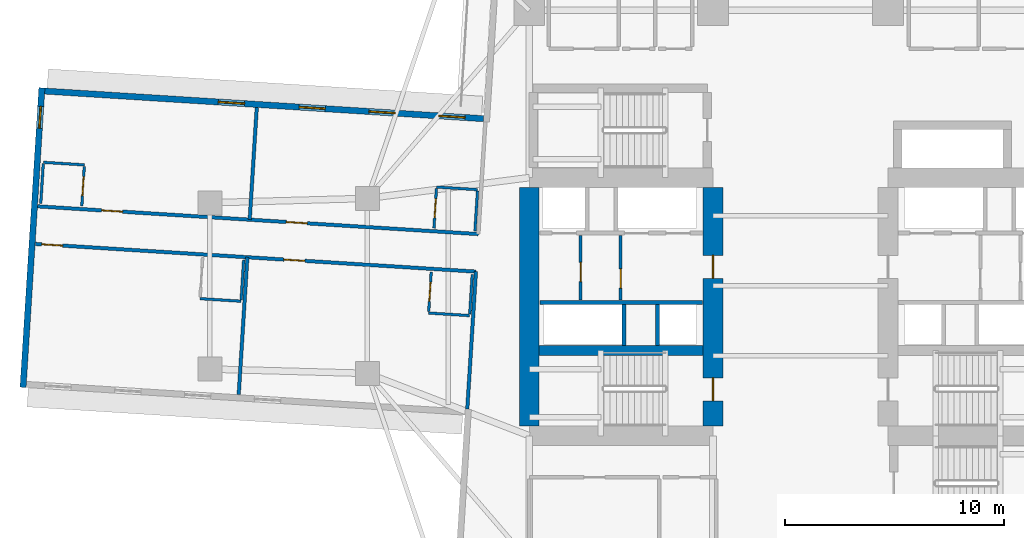
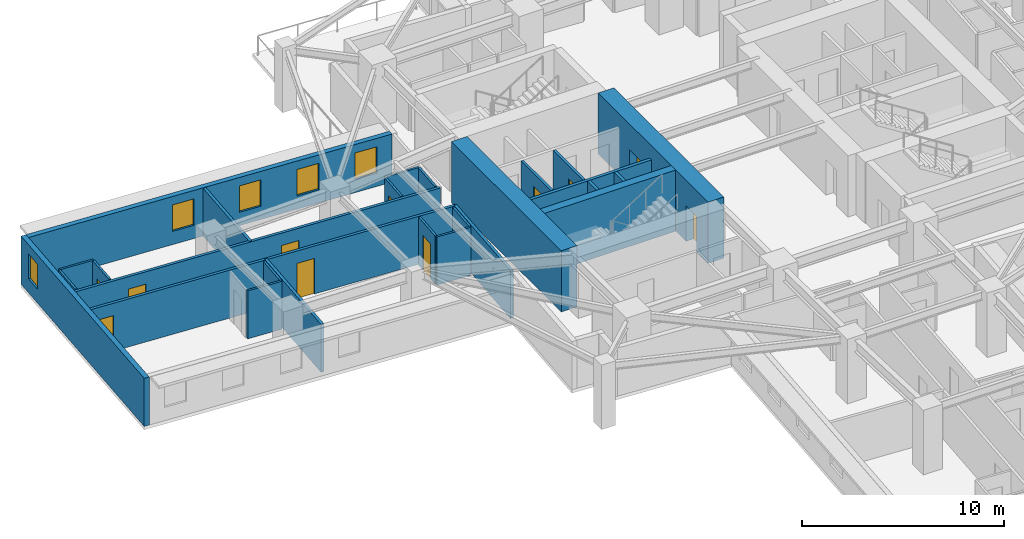
# One storey, part 5 of 14: 26 walls, 11 doors, 5 windows, 16 openings.
"""IFC4 building model written with IfcOpenShell, lengths in metres."""

from ifc_helpers import new_model, si_unit, direction, frame, frame_2d, origin, place, context, subcontext, project, spatial, rectangle, extrude, material, layer, layer_set, type_object, element, fill, save


model = new_model("IFC4")

# Units and contexts
model_context = context("Model", 3, precision=1e-05, world=origin(), true_north=direction((0.0, 1.0)))
body_context = subcontext(model_context, "Body", "Model", "MODEL_VIEW")
ifc_project = project(units=[si_unit("LENGTHUNIT", "METRE"), si_unit("AREAUNIT", "SQUARE_METRE"), si_unit("VOLUMEUNIT", "CUBIC_METRE"), si_unit("PLANEANGLEUNIT", "RADIAN"), si_unit("MASSUNIT", "GRAM", prefix="KILO")], contexts=[model_context])

# Site, building, storey
site_placement = place(None, origin())
site = spatial("IfcSite", under=ifc_project, at=site_placement, CompositionType="ELEMENT")
building_placement = place(site_placement, origin())
building = spatial("IfcBuilding", under=site, at=building_placement, Name="Qingluan Cross Belvedere", CompositionType="ELEMENT")
storey_placement = place(building_placement, frame((0.0, 0.0, 87.300048828125)))
storey = spatial("IfcBuildingStorey", under=building, at=storey_placement, Name="L22", CompositionType="ELEMENT", Elevation=87.300048828125)

# Walls
ifc_material_1 = material(Name="Concrete C50", Category="concrete")
ifc_layer_1 = layer(ifc_material_1, 0.449951171875, Name="CoreShearWall_450")
ifc_layer_set_1 = layer_set([ifc_layer_1], Name="Concrete C50")
wall_type_1 = type_object("IfcWallType", Name="CoreShearWall_450", PredefinedType="SHEAR", material=ifc_layer_set_1)
wall_1_placement = place(storey_placement, frame((-11.945068359375, -2.9599609375, 0.0), z_axis=(0.0, 0.0, 1.0), x_axis=(1.0, 0.0, 0.0)))
element("IfcWall", 1, at=wall_1_placement, inside=storey, type_object=wall_type_1, Name="Split core W shear wall L22-M", PredefinedType="SHEAR", context=body_context, shape_type="SweptSolid", body=[
    extrude(rectangle(XDim=7.489990234375, YDim=0.449951171875, at=frame_2d((3.7451171875, 0.0))), origin(), (0.0, 0.0, 1.0), 3.699951171875),
])
ifc_material_2 = material(Name="Concrete C70", Category="concrete")
ifc_layer_2 = layer(ifc_material_2, 0.89990234375, Name="CoreShearWall_900")
ifc_layer_set_2 = layer_set([ifc_layer_2], Name="Concrete C70")
wall_type_2 = type_object("IfcWallType", Name="CoreShearWall_900", PredefinedType="SHEAR", material=ifc_layer_set_2)
wall_2_placement = place(storey_placement, frame((-12.39990234375, -6.39501953125, 0.0), z_axis=(0.0, 0.0, 1.0), x_axis=(0.0, 1.0, 0.0)))
element("IfcWall", 2, at=wall_2_placement, inside=storey, type_object=wall_type_2, Name="Split core W shear wall L22-W", PredefinedType="SHEAR", context=body_context, shape_type="SweptSolid", body=[
    extrude(rectangle(XDim=10.89013671875, YDim=0.89990234375, at=frame_2d((5.445068359375, 0.0))), origin(), (0.0, 0.0, 1.0), 3.699951171875),
])

# Wall, openings, doors
wall_3_placement = place(storey_placement, frame((-4.0, -6.39501953125, 0.0), z_axis=(0.0, 0.0, 1.0), x_axis=(0.0, 1.0, 0.0)))
wall_3 = element("IfcWall", 3, at=wall_3_placement, inside=storey, type_object=wall_type_2, Name="Split core W shear wall L22-E", PredefinedType="SHEAR", context=body_context, shape_type="SweptSolid", body=[
    extrude(rectangle(XDim=10.89013671875, YDim=0.89990234375, at=frame_2d((5.445068359375, 0.0))), origin(), (0.0, 0.0, 1.0), 3.699951171875),
])
opening_1_placement = place(wall_3_placement, frame((1.14501953125, 0.0, 0.0)))
opening_1 = element("IfcOpeningElement", 4, at=opening_1_placement, cuts=wall_3, Name="Opening FD-B11", PredefinedType="OPENING", context=body_context, shape_type="SweptSolid", body=[
    extrude(rectangle(XDim=1.050048828125, YDim=2.14990234375, at=frame_2d((0.52490234375, 1.074951171875))), frame((0.0, 0.4599609375, 0.0), z_axis=(0.0, -1.0, 0.0), x_axis=(1.0, 0.0, 0.0)), (0.0, 0.0, 1.0), 0.919921875),
])
opening_2_placement = place(wall_3_placement, frame((6.7451171875, 0.0, 0.0)))
opening_2 = element("IfcOpeningElement", 5, at=opening_2_placement, cuts=wall_3, Name="Opening FD-B11", PredefinedType="OPENING", context=body_context, shape_type="SweptSolid", body=[
    extrude(rectangle(XDim=1.050048828125, YDim=2.14990234375, at=frame_2d((0.52490234375, 1.074951171875))), frame((0.0, 0.4599609375, 0.0), z_axis=(0.0, -1.0, 0.0), x_axis=(1.0, 0.0, 0.0)), (0.0, 0.0, 1.0), 0.919921875),
])
ifc_material_3 = material(Name="Steel Class B smoke-seal fire door", Category="steel")
door_type_1 = type_object("IfcDoorType", Name="StairLobbyFireDoor_FDB", OperationType="NOTDEFINED", PredefinedType="DOOR", material=ifc_material_3)
door_1_placement = place(opening_1_placement, origin())
door_1 = element("IfcDoor", 6, at=door_1_placement, inside=storey, type_object=door_type_1, Name="Smoke-proof stair ST1 fire door L22", OperationType="SINGLE_SWING_RIGHT", OverallHeight=2.14990234375, OverallWidth=1.050048828125, PredefinedType="DOOR", context=body_context, shape_type="SweptSolid", body=[
    extrude(rectangle(XDim=1.050048828125, YDim=2.14990234375, at=frame_2d((0.52490234375, 1.074951171875))), frame((0.0, 0.02490234375, 0.0), z_axis=(0.0, -1.0, 0.0), x_axis=(1.0, 0.0, 0.0)), (0.0, 0.0, 1.0), 0.050048828125),
])
fill(opening_1, door_1)
door_2_placement = place(opening_2_placement, origin())
door_2 = element("IfcDoor", 7, at=door_2_placement, inside=storey, type_object=door_type_1, Name="Firefighting lobby West fire door L22", OperationType="SINGLE_SWING_RIGHT", OverallHeight=2.14990234375, OverallWidth=1.050048828125, PredefinedType="DOOR", context=body_context, shape_type="SweptSolid", body=[
    extrude(rectangle(XDim=1.050048828125, YDim=2.14990234375, at=frame_2d((0.52490234375, 1.074951171875))), frame((0.0, 0.02490234375, 0.0), z_axis=(0.0, -1.0, 0.0), x_axis=(1.0, 0.0, 0.0)), (0.0, 0.0, 1.0), 0.050048828125),
])
fill(opening_2, door_2)

# Wall, opening, door
ifc_material_4 = material(Name="Gypsum plasterboard on steel stud acoustic partition", Category="steel")
ifc_layer_3 = layer(ifc_material_4, 0.159912109375, Name="CorridorPartition_160")
ifc_layer_set_3 = layer_set([ifc_layer_3], Name="Gypsum plasterboard on steel stud acoustic partition")
wall_type_3 = type_object("IfcWallType", Name="CorridorPartition_160", PredefinedType="PARTITIONING", material=ifc_layer_set_3)
wall_4_placement = place(storey_placement, frame((-10.050048828125, -0.652099609375, 0.0), z_axis=(0.0, 0.0, 1.0), x_axis=(0.0, 1.0, 0.0)))
wall_4 = element("IfcWall", 8, at=wall_4_placement, inside=storey, type_object=wall_type_3, Name="Partition L22:wv", PredefinedType="PARTITIONING", context=body_context, shape_type="SweptSolid", body=[
    extrude(rectangle(XDim=2.962158203125, YDim=0.139892578125, at=frame_2d((1.48095703125, 0.0))), origin(), (0.0, 0.0, 1.0), 2.89990234375),
])
opening_3_placement = place(wall_4_placement, frame((0.85009765625, 0.0, 0.0)))
opening_3 = element("IfcOpeningElement", 9, at=opening_3_placement, cuts=wall_4, Name="Opening FD-B10", PredefinedType="OPENING", context=body_context, shape_type="SweptSolid", body=[
    extrude(rectangle(XDim=0.8798828125, YDim=2.10009765625, at=frame_2d((0.43994140625, 1.050048828125))), frame((0.0, 0.079833984375, 0.0), z_axis=(0.0, -1.0, 0.0), x_axis=(1.0, 0.0, 0.0)), (0.0, 0.0, 1.0), 0.159912109375),
])
ifc_material_5 = material(Name="Steel Class B service fire door", Category="steel")
door_type_2 = type_object("IfcDoorType", Name="RiserServiceFireDoor_FDB", OperationType="NOTDEFINED", PredefinedType="DOOR", material=ifc_material_5)
door_3_placement = place(opening_3_placement, origin())
door_3 = element("IfcDoor", 10, at=door_3_placement, inside=storey, type_object=door_type_2, Name="Service closet inner door L22", OperationType="SINGLE_SWING_RIGHT", OverallHeight=2.10009765625, OverallWidth=0.8798828125, PredefinedType="DOOR", context=body_context, shape_type="SweptSolid", body=[
    extrude(rectangle(XDim=0.8798828125, YDim=2.10009765625, at=frame_2d((0.43994140625, 1.050048828125))), frame((0.0, 0.02490234375, 0.0), z_axis=(0.0, -1.0, 0.0), x_axis=(1.0, 0.0, 0.0)), (0.0, 0.0, 1.0), 0.050048828125),
])
fill(opening_3, door_3)

# Wall, openings, doors
wall_5_placement = place(storey_placement, frame((-14.730224609375, 2.36962890625, 0.0), z_axis=(0.0, 0.0, 1.0), x_axis=(-0.998027172545, 0.062783460104, 0.0)))
wall_5 = element("IfcWall", 11, at=wall_5_placement, inside=storey, type_object=wall_type_3, Name="Partition L22:W:c0", PredefinedType="PARTITIONING", context=body_context, shape_type="SweptSolid", body=[
    extrude(rectangle(XDim=20.181884765625, YDim=0.159912109375, at=frame_2d((10.0908203125, 0.0))), origin(), (0.0, 0.0, 1.0), 2.89990234375),
])
opening_4_placement = place(wall_5_placement, frame((7.8359375, 0.0, 0.0)))
opening_4 = element("IfcOpeningElement", 12, at=opening_4_placement, cuts=wall_5, Name="Opening GD-10", PredefinedType="OPENING", context=body_context, shape_type="SweptSolid", body=[
    extrude(rectangle(XDim=0.9599609375, YDim=2.14990234375, at=frame_2d((0.47998046875, 1.074951171875))), frame((0.0, 0.08984375, 0.0), z_axis=(0.0, -1.0, 0.0), x_axis=(1.0, 0.0, 0.0)), (0.0, 0.0, 1.0), 0.179931640625),
])
opening_5_placement = place(wall_5_placement, frame((16.2958984375, 0.0, 0.0)))
opening_5 = element("IfcOpeningElement", 13, at=opening_5_placement, cuts=wall_5, Name="Opening GD-10", PredefinedType="OPENING", context=body_context, shape_type="SweptSolid", body=[
    extrude(rectangle(XDim=0.9599609375, YDim=2.14990234375, at=frame_2d((0.47998046875, 1.074951171875))), frame((0.0, 0.08984375, 0.0), z_axis=(0.0, -1.0, 0.0), x_axis=(1.0, 0.0, 0.0)), (0.0, 0.0, 1.0), 0.179931640625),
])
ifc_material_6 = material(Name="Timber oak fire-rated acoustic guestroom door", Category="wood")
door_type_3 = type_object("IfcDoorType", Name="GuestEntryDoor_FD60", OperationType="NOTDEFINED", PredefinedType="DOOR", material=ifc_material_6)
door_4_placement = place(opening_4_placement, origin())
door_4 = element("IfcDoor", 14, at=door_4_placement, inside=storey, type_object=door_type_3, Name="Guest entry fire door 2205", OperationType="SINGLE_SWING_LEFT", OverallHeight=2.14990234375, OverallWidth=0.9599609375, PredefinedType="DOOR", context=body_context, shape_type="SweptSolid", body=[
    extrude(rectangle(XDim=0.9599609375, YDim=2.14990234375, at=frame_2d((0.47998046875, 1.074951171875))), frame((0.0, 0.02490234375, 0.0), z_axis=(0.0, -1.0, 0.0), x_axis=(1.0, 0.0, 0.0)), (0.0, 0.0, 1.0), 0.050048828125),
])
fill(opening_4, door_4)
door_5_placement = place(opening_5_placement, origin())
door_5 = element("IfcDoor", 15, at=door_5_placement, inside=storey, type_object=door_type_3, Name="Guest entry fire door 2206", OperationType="SINGLE_SWING_LEFT", OverallHeight=2.14990234375, OverallWidth=0.9599609375, PredefinedType="DOOR", context=body_context, shape_type="SweptSolid", body=[
    extrude(rectangle(XDim=0.9599609375, YDim=2.14990234375, at=frame_2d((0.47998046875, 1.074951171875))), frame((0.0, 0.02490234375, 0.0), z_axis=(0.0, -1.0, 0.0), x_axis=(1.0, 0.0, 0.0)), (0.0, 0.0, 1.0), 0.050048828125),
])
fill(opening_5, door_5)

# Wall
wall_6_placement = place(storey_placement, frame((-25.1796875, 3.027099609375, 0.0), z_axis=(0.0, 0.0, 1.0), x_axis=(0.062795883315, 0.998026390953, 0.0)))
element("IfcWall", 16, at=wall_6_placement, inside=storey, type_object=wall_type_3, Name="Partition L22:W:d0_0", PredefinedType="PARTITIONING", context=body_context, shape_type="SweptSolid", body=[
    extrude(rectangle(XDim=5.1318359375, YDim=0.159912109375, at=frame_2d((2.56591796875, 0.0))), origin(), (0.0, 0.0, 1.0), 2.89990234375),
])

# Wall, openings, doors
wall_7_placement = place(storey_placement, frame((-14.83837890625, 0.653076171875, 0.0), z_axis=(0.0, 0.0, 1.0), x_axis=(-0.998027172545, 0.062783460104, 0.0)))
wall_7 = element("IfcWall", 17, at=wall_7_placement, inside=storey, type_object=wall_type_3, Name="Partition L22:W:c1", PredefinedType="PARTITIONING", context=body_context, shape_type="SweptSolid", body=[
    extrude(rectangle(XDim=20.181884765625, YDim=0.159912109375, at=frame_2d((10.0908203125, 0.0))), origin(), (0.0, 0.0, 1.0), 2.89990234375),
])
opening_6_placement = place(wall_7_placement, frame((7.8359375, 0.0, 0.0)))
opening_6 = element("IfcOpeningElement", 18, at=opening_6_placement, cuts=wall_7, Name="Opening GD-10", PredefinedType="OPENING", context=body_context, shape_type="SweptSolid", body=[
    extrude(rectangle(XDim=0.9599609375, YDim=2.14990234375, at=frame_2d((0.47998046875, 1.074951171875))), frame((0.0, 0.08984375, 0.0), z_axis=(0.0, -1.0, 0.0), x_axis=(1.0, 0.0, 0.0)), (0.0, 0.0, 1.0), 0.179931640625),
])
opening_7_placement = place(wall_7_placement, frame((18.929931640625, 0.0, 0.0)))
opening_7 = element("IfcOpeningElement", 19, at=opening_7_placement, cuts=wall_7, Name="Opening GD-10", PredefinedType="OPENING", context=body_context, shape_type="SweptSolid", body=[
    extrude(rectangle(XDim=0.9599609375, YDim=2.14990234375, at=frame_2d((0.47998046875, 1.074951171875))), frame((0.0, 0.08984375, 0.0), z_axis=(0.0, -1.0, 0.0), x_axis=(1.0, 0.0, 0.0)), (0.0, 0.0, 1.0), 0.179931640625),
])
door_6_placement = place(opening_6_placement, origin())
door_6 = element("IfcDoor", 20, at=door_6_placement, inside=storey, type_object=door_type_3, Name="Guest entry fire door 2207", OperationType="SINGLE_SWING_LEFT", OverallHeight=2.14990234375, OverallWidth=0.9599609375, PredefinedType="DOOR", context=body_context, shape_type="SweptSolid", body=[
    extrude(rectangle(XDim=0.9599609375, YDim=2.14990234375, at=frame_2d((0.47998046875, 1.074951171875))), frame((0.0, 0.02490234375, 0.0), z_axis=(0.0, -1.0, 0.0), x_axis=(1.0, 0.0, 0.0)), (0.0, 0.0, 1.0), 0.050048828125),
])
fill(opening_6, door_6)
door_7_placement = place(opening_7_placement, origin())
door_7 = element("IfcDoor", 21, at=door_7_placement, inside=storey, type_object=door_type_3, Name="Guest entry fire door 2208", OperationType="SINGLE_SWING_LEFT", OverallHeight=2.14990234375, OverallWidth=0.9599609375, PredefinedType="DOOR", context=body_context, shape_type="SweptSolid", body=[
    extrude(rectangle(XDim=0.9599609375, YDim=2.14990234375, at=frame_2d((0.47998046875, 1.074951171875))), frame((0.0, 0.02490234375, 0.0), z_axis=(0.0, -1.0, 0.0), x_axis=(1.0, 0.0, 0.0)), (0.0, 0.0, 1.0), 0.050048828125),
])
fill(opening_7, door_7)

# Walls
wall_8_placement = place(storey_placement, frame((-14.83837890625, 0.653076171875, 0.0), z_axis=(0.0, 0.0, 1.0), x_axis=(-0.062779270337, -0.998027436104, 0.0)))
element("IfcWall", 22, at=wall_8_placement, inside=storey, type_object=wall_type_3, Name="Partition L22:W:s1", PredefinedType="PARTITIONING", context=body_context, shape_type="SweptSolid", body=[
    extrude(rectangle(XDim=6.292236328125, YDim=0.159912109375, at=frame_2d((3.14599609375, 0.0))), origin(), (0.0, 0.0, 1.0), 2.89990234375),
])
wall_9_placement = place(storey_placement, frame((-25.28759765625, 1.310302734375, 0.0), z_axis=(0.0, 0.0, 1.0), x_axis=(-0.062781701496, -0.998027283173, 0.0)))
element("IfcWall", 23, at=wall_9_placement, inside=storey, type_object=wall_type_3, Name="Partition L22:W:d1_0", PredefinedType="PARTITIONING", context=body_context, shape_type="SweptSolid", body=[
    extrude(rectangle(XDim=6.2919921875, YDim=0.159912109375, at=frame_2d((3.14599609375, 0.0))), origin(), (0.0, 0.0, 1.0), 2.89990234375),
])

# Wall, opening, door
ifc_material_7 = material(Name="Moisture-resistant gypsum board lining")
ifc_layer_4 = layer(ifc_material_7, 0.1201171875, Name="EnsuiteWetPartition_120")
ifc_layer_set_4 = layer_set([ifc_layer_4], Name="Moisture-resistant gypsum board lining")
wall_type_4 = type_object("IfcWallType", Name="EnsuiteWetPartition_120", PredefinedType="PARTITIONING", material=ifc_layer_set_4)
wall_10_placement = place(storey_placement, frame((-16.757568359375, 2.637451171875, 0.0), z_axis=(0.0, 0.0, 1.0), x_axis=(0.062779145668, 0.998027443946, 0.0)))
wall_10 = element("IfcWall", 24, at=wall_10_placement, inside=storey, type_object=wall_type_4, Name="Partition L22:W:bs0_0", PredefinedType="PARTITIONING", context=body_context, shape_type="SweptSolid", body=[
    extrude(rectangle(XDim=1.820068359375, YDim=0.1201171875, at=frame_2d((0.91015625, 0.0))), origin(), (0.0, 0.0, 1.0), 2.89990234375),
])
opening_8_placement = place(wall_10_placement, frame((0.469970703125, 0.0, 0.0)))
opening_8 = element("IfcOpeningElement", 25, at=opening_8_placement, cuts=wall_10, Name="Opening BD-09", PredefinedType="OPENING", context=body_context, shape_type="SweptSolid", body=[
    extrude(rectangle(XDim=0.8798828125, YDim=2.10009765625, at=frame_2d((0.43994140625, 1.050048828125))), frame((0.0, 0.070068359375, 0.0), z_axis=(0.0, -1.0, 0.0), x_axis=(1.0, 0.0, 0.0)), (0.0, 0.0, 1.0), 0.14013671875),
])
ifc_material_8 = material(Name="Moisture-sealed timber en-suite door", Category="wood")
door_type_4 = type_object("IfcDoorType", Name="BathroomDoor_880", OperationType="NOTDEFINED", PredefinedType="DOOR", material=ifc_material_8)
door_8_placement = place(opening_8_placement, origin())
door_8 = element("IfcDoor", 26, at=door_8_placement, inside=storey, type_object=door_type_4, Name="Bathroom door 2205", OperationType="SINGLE_SWING_RIGHT", OverallHeight=2.10009765625, OverallWidth=0.8798828125, PredefinedType="DOOR", context=body_context, shape_type="SweptSolid", body=[
    extrude(rectangle(XDim=0.8798828125, YDim=2.10009765625, at=frame_2d((0.43994140625, 1.050048828125))), frame((0.0, 0.02490234375, 0.0), z_axis=(0.0, -1.0, 0.0), x_axis=(1.0, 0.0, 0.0)), (0.0, 0.0, 1.0), 0.050048828125),
])
fill(opening_8, door_8)

# Walls
wall_11_placement = place(storey_placement, frame((-14.881103515625, 2.519287109375, 0.0), z_axis=(0.0, 0.0, 1.0), x_axis=(0.062779145668, 0.998027443946, 0.0)))
element("IfcWall", 27, at=wall_11_placement, inside=storey, type_object=wall_type_4, Name="Partition L22:W:bw0_0", PredefinedType="PARTITIONING", context=body_context, shape_type="SweptSolid", body=[
    extrude(rectangle(XDim=1.820068359375, YDim=0.1201171875, at=frame_2d((0.91015625, 0.0))), origin(), (0.0, 0.0, 1.0), 2.89990234375),
])
wall_12_placement = place(storey_placement, frame((-14.7626953125, 4.400634765625, 0.0), z_axis=(0.0, 0.0, 1.0), x_axis=(-0.998023163794, 0.062847152131, 0.0)))
element("IfcWall", 28, at=wall_12_placement, inside=storey, type_object=wall_type_4, Name="Partition L22:W:bn0_0", PredefinedType="PARTITIONING", context=body_context, shape_type="SweptSolid", body=[
    extrude(rectangle(XDim=1.880126953125, YDim=0.1201171875, at=frame_2d((0.93994140625, 0.0))), origin(), (0.0, 0.0, 1.0), 2.89990234375),
])

# Wall, opening, door
wall_13_placement = place(storey_placement, frame((-32.855712890625, 3.650146484375, 0.0), z_axis=(0.0, 0.0, 1.0), x_axis=(0.062779145668, 0.998027443946, 0.0)))
wall_13 = element("IfcWall", 29, at=wall_13_placement, inside=storey, type_object=wall_type_4, Name="Partition L22:W:bs0_1", PredefinedType="PARTITIONING", context=body_context, shape_type="SweptSolid", body=[
    extrude(rectangle(XDim=1.820068359375, YDim=0.1201171875, at=frame_2d((0.91015625, 0.0))), origin(), (0.0, 0.0, 1.0), 2.89990234375),
])
opening_9_placement = place(wall_13_placement, frame((0.469970703125, 0.0, 0.0)))
opening_9 = element("IfcOpeningElement", 30, at=opening_9_placement, cuts=wall_13, Name="Opening BD-09", PredefinedType="OPENING", context=body_context, shape_type="SweptSolid", body=[
    extrude(rectangle(XDim=0.8798828125, YDim=2.10009765625, at=frame_2d((0.43994140625, 1.050048828125))), frame((0.0, 0.070068359375, 0.0), z_axis=(0.0, -1.0, 0.0), x_axis=(1.0, 0.0, 0.0)), (0.0, 0.0, 1.0), 0.14013671875),
])
door_9_placement = place(opening_9_placement, origin())
door_9 = element("IfcDoor", 31, at=door_9_placement, inside=storey, type_object=door_type_4, Name="Bathroom door 2206", OperationType="SINGLE_SWING_RIGHT", OverallHeight=2.10009765625, OverallWidth=0.8798828125, PredefinedType="DOOR", context=body_context, shape_type="SweptSolid", body=[
    extrude(rectangle(XDim=0.8798828125, YDim=2.10009765625, at=frame_2d((0.43994140625, 1.050048828125))), frame((0.0, 0.02490234375, 0.0), z_axis=(0.0, -1.0, 0.0), x_axis=(1.0, 0.0, 0.0)), (0.0, 0.0, 1.0), 0.050048828125),
])
fill(opening_9, door_9)

# Walls
wall_14_placement = place(storey_placement, frame((-34.73193359375, 3.768310546875, 0.0), z_axis=(0.0, 0.0, 1.0), x_axis=(0.062779145668, 0.998027443946, 0.0)))
element("IfcWall", 32, at=wall_14_placement, inside=storey, type_object=wall_type_4, Name="Partition L22:W:bw0_1", PredefinedType="PARTITIONING", context=body_context, shape_type="SweptSolid", body=[
    extrude(rectangle(XDim=1.820068359375, YDim=0.1201171875, at=frame_2d((0.91015625, 0.0))), origin(), (0.0, 0.0, 1.0), 2.89990234375),
])
wall_15_placement = place(storey_placement, frame((-32.7373046875, 5.531494140625, 0.0), z_axis=(0.0, 0.0, 1.0), x_axis=(-0.998022650819, 0.062855297722, 0.0)))
element("IfcWall", 33, at=wall_15_placement, inside=storey, type_object=wall_type_4, Name="Partition L22:W:bn0_1", PredefinedType="PARTITIONING", context=body_context, shape_type="SweptSolid", body=[
    extrude(rectangle(XDim=1.8798828125, YDim=0.1201171875, at=frame_2d((0.93994140625, 0.0))), origin(), (0.0, 0.0, 1.0), 2.89990234375),
])

# Wall, opening, door
wall_16_placement = place(storey_placement, frame((-16.997314453125, -1.175048828125, 0.0), z_axis=(0.0, 0.0, 1.0), x_axis=(0.062779145668, 0.998027443946, 0.0)))
wall_16 = element("IfcWall", 34, at=wall_16_placement, inside=storey, type_object=wall_type_4, Name="Partition L22:W:bs1_0", PredefinedType="PARTITIONING", context=body_context, shape_type="SweptSolid", body=[
    extrude(rectangle(XDim=1.820068359375, YDim=0.1201171875, at=frame_2d((0.91015625, 0.0))), origin(), (0.0, 0.0, 1.0), 2.89990234375),
])
opening_10_placement = place(wall_16_placement, frame((0.469970703125, 0.0, 0.0)))
opening_10 = element("IfcOpeningElement", 35, at=opening_10_placement, cuts=wall_16, Name="Opening BD-09", PredefinedType="OPENING", context=body_context, shape_type="SweptSolid", body=[
    extrude(rectangle(XDim=0.8798828125, YDim=2.10009765625, at=frame_2d((0.43994140625, 1.050048828125))), frame((0.0, 0.070068359375, 0.0), z_axis=(0.0, -1.0, 0.0), x_axis=(1.0, 0.0, 0.0)), (0.0, 0.0, 1.0), 0.14013671875),
])
door_10_placement = place(opening_10_placement, origin())
door_10 = element("IfcDoor", 36, at=door_10_placement, inside=storey, type_object=door_type_4, Name="Bathroom door 2207", OperationType="SINGLE_SWING_RIGHT", OverallHeight=2.10009765625, OverallWidth=0.8798828125, PredefinedType="DOOR", context=body_context, shape_type="SweptSolid", body=[
    extrude(rectangle(XDim=0.8798828125, YDim=2.10009765625, at=frame_2d((0.43994140625, 1.050048828125))), frame((0.0, 0.02490234375, 0.0), z_axis=(0.0, -1.0, 0.0), x_axis=(1.0, 0.0, 0.0)), (0.0, 0.0, 1.0), 0.050048828125),
])
fill(opening_10, door_10)

# Walls
wall_17_placement = place(storey_placement, frame((-15.12109375, -1.293212890625, 0.0), z_axis=(0.0, 0.0, 1.0), x_axis=(0.062779145668, 0.998027443946, 0.0)))
element("IfcWall", 37, at=wall_17_placement, inside=storey, type_object=wall_type_4, Name="Partition L22:W:bw1_0", PredefinedType="PARTITIONING", context=body_context, shape_type="SweptSolid", body=[
    extrude(rectangle(XDim=1.820068359375, YDim=0.1201171875, at=frame_2d((0.91015625, 0.0))), origin(), (0.0, 0.0, 1.0), 2.89990234375),
])
wall_18_placement = place(storey_placement, frame((-15.125, -1.35791015625, 0.0), z_axis=(0.0, 0.0, 1.0), x_axis=(-0.998031300018, 0.062717813936, 0.0)))
element("IfcWall", 38, at=wall_18_placement, inside=storey, type_object=wall_type_4, Name="Partition L22:W:bc1_0", PredefinedType="PARTITIONING", context=body_context, shape_type="SweptSolid", body=[
    extrude(rectangle(XDim=1.880126953125, YDim=0.1201171875, at=frame_2d((0.93994140625, 0.0))), origin(), (0.0, 0.0, 1.0), 2.89990234375),
])
wall_19_placement = place(storey_placement, frame((-25.5703125, -0.6357421875, 0.0), z_axis=(0.0, 0.0, 1.0), x_axis=(0.062779145668, 0.998027443946, 0.0)))
element("IfcWall", 39, at=wall_19_placement, inside=storey, type_object=wall_type_4, Name="Partition L22:W:bw1_1", PredefinedType="PARTITIONING", context=body_context, shape_type="SweptSolid", body=[
    extrude(rectangle(XDim=1.820068359375, YDim=0.1201171875, at=frame_2d((0.91015625, 0.0))), origin(), (0.0, 0.0, 1.0), 2.89990234375),
])
wall_20_placement = place(storey_placement, frame((-25.574462890625, -0.700439453125, 0.0), z_axis=(0.0, 0.0, 1.0), x_axis=(-0.998030789148, 0.062725942896, 0.0)))
element("IfcWall", 40, at=wall_20_placement, inside=storey, type_object=wall_type_4, Name="Partition L22:W:bc1_1", PredefinedType="PARTITIONING", context=body_context, shape_type="SweptSolid", body=[
    extrude(rectangle(XDim=1.8798828125, YDim=0.1201171875, at=frame_2d((0.93994140625, 0.0))), origin(), (0.0, 0.0, 1.0), 2.89990234375),
])

# Wall, openings, windows
ifc_material_9 = material(Name="Precast concrete C45", Category="concrete")
ifc_layer_5 = layer(ifc_material_9, 0.280029296875, Name="PrecastFacadeWall_280")
ifc_layer_set_5 = layer_set([ifc_layer_5], Name="Precast concrete C45")
wall_type_5 = type_object("IfcWallType", Name="PrecastFacadeWall_280", PredefinedType="STANDARD", material=ifc_layer_set_5)
wall_21_placement = place(storey_placement, frame((-14.488525390625, 7.644775390625, 0.0), z_axis=(0.0, 0.0, 1.0), x_axis=(-0.99802635503, 0.06279645424, 0.0)))
wall_21 = element("IfcWall", 41, at=wall_21_placement, inside=storey, type_object=wall_type_5, Name="Facade wall L22-WA", PredefinedType="STANDARD", context=body_context, shape_type="SweptSolid", body=[
    extrude(rectangle(XDim=20.099853515625, YDim=0.280029296875, at=frame_2d((10.0498046875, 0.0))), origin(), (0.0, 0.0, 1.0), 2.909912109375),
])
opening_11_placement = place(wall_21_placement, frame((0.85009765625, 0.0, 0.800048828125)))
opening_11 = element("IfcOpeningElement", 42, at=opening_11_placement, cuts=wall_21, Name="Opening W-02", PredefinedType="OPENING", context=body_context, shape_type="SweptSolid", body=[
    extrude(rectangle(XDim=1.199951171875, YDim=1.60009765625, at=frame_2d((0.60009765625, 0.800048828125))), frame((0.0, 0.14990234375, 0.0), z_axis=(0.0, -1.0, 0.0), x_axis=(1.0, 0.0, 0.0)), (0.0, 0.0, 1.0), 0.300048828125),
])
opening_12_placement = place(wall_21_placement, frame((4.050048828125, 0.0, 0.800048828125)))
opening_12 = element("IfcOpeningElement", 43, at=opening_12_placement, cuts=wall_21, Name="Opening W-02", PredefinedType="OPENING", context=body_context, shape_type="SweptSolid", body=[
    extrude(rectangle(XDim=1.199951171875, YDim=1.60009765625, at=frame_2d((0.60009765625, 0.800048828125))), frame((0.0, 0.14990234375, 0.0), z_axis=(0.0, -1.0, 0.0), x_axis=(1.0, 0.0, 0.0)), (0.0, 0.0, 1.0), 0.300048828125),
])
opening_13_placement = place(wall_21_placement, frame((7.25, 0.0, 0.800048828125)))
opening_13 = element("IfcOpeningElement", 44, at=opening_13_placement, cuts=wall_21, Name="Opening W-02", PredefinedType="OPENING", context=body_context, shape_type="SweptSolid", body=[
    extrude(rectangle(XDim=1.199951171875, YDim=1.60009765625, at=frame_2d((0.60009765625, 0.800048828125))), frame((0.0, 0.14990234375, 0.0), z_axis=(0.0, -1.0, 0.0), x_axis=(1.0, 0.0, 0.0)), (0.0, 0.0, 1.0), 0.300048828125),
])
opening_14_placement = place(wall_21_placement, frame((10.949951171875, 0.0, 0.800048828125)))
opening_14 = element("IfcOpeningElement", 45, at=opening_14_placement, cuts=wall_21, Name="Opening W-02", PredefinedType="OPENING", context=body_context, shape_type="SweptSolid", body=[
    extrude(rectangle(XDim=1.199951171875, YDim=1.60009765625, at=frame_2d((0.60009765625, 0.800048828125))), frame((0.0, 0.14990234375, 0.0), z_axis=(0.0, -1.0, 0.0), x_axis=(1.0, 0.0, 0.0)), (0.0, 0.0, 1.0), 0.300048828125),
])
ifc_material_10 = material(Name="Thermally broken triple Low-E glass in aluminium frame", Category="aluminium")
window_type_1 = type_object("IfcWindowType", Name="TriRibbonWin_1200x1600", PartitioningType="SINGLE_PANEL", PredefinedType="WINDOW", material=ifc_material_10)
window_1_placement = place(opening_11_placement, origin())
window_1 = element("IfcWindow", 46, at=window_1_placement, inside=storey, type_object=window_type_1, Name="Ribbon window L22-WA-1", OverallHeight=1.60009765625, OverallWidth=1.199951171875, PartitioningType="SINGLE_PANEL", PredefinedType="WINDOW", context=body_context, shape_type="SweptSolid", body=[
    extrude(rectangle(XDim=1.199951171875, YDim=1.60009765625, at=frame_2d((0.60009765625, 0.800048828125))), frame((0.0, 0.030029296875, 0.0), z_axis=(0.0, -1.0, 0.0), x_axis=(1.0, 0.0, 0.0)), (0.0, 0.0, 1.0), 0.06005859375),
])
fill(opening_11, window_1)
window_2_placement = place(opening_12_placement, origin())
window_2 = element("IfcWindow", 47, at=window_2_placement, inside=storey, type_object=window_type_1, Name="Ribbon window L22-WA-2", OverallHeight=1.60009765625, OverallWidth=1.199951171875, PartitioningType="SINGLE_PANEL", PredefinedType="WINDOW", context=body_context, shape_type="SweptSolid", body=[
    extrude(rectangle(XDim=1.199951171875, YDim=1.60009765625, at=frame_2d((0.60009765625, 0.800048828125))), frame((0.0, 0.030029296875, 0.0), z_axis=(0.0, -1.0, 0.0), x_axis=(1.0, 0.0, 0.0)), (0.0, 0.0, 1.0), 0.06005859375),
])
fill(opening_12, window_2)
window_3_placement = place(opening_13_placement, origin())
window_3 = element("IfcWindow", 48, at=window_3_placement, inside=storey, type_object=window_type_1, Name="Ribbon window L22-WA-3", OverallHeight=1.60009765625, OverallWidth=1.199951171875, PartitioningType="SINGLE_PANEL", PredefinedType="WINDOW", context=body_context, shape_type="SweptSolid", body=[
    extrude(rectangle(XDim=1.199951171875, YDim=1.60009765625, at=frame_2d((0.60009765625, 0.800048828125))), frame((0.0, 0.030029296875, 0.0), z_axis=(0.0, -1.0, 0.0), x_axis=(1.0, 0.0, 0.0)), (0.0, 0.0, 1.0), 0.06005859375),
])
fill(opening_13, window_3)
window_4_placement = place(opening_14_placement, origin())
window_4 = element("IfcWindow", 49, at=window_4_placement, inside=storey, type_object=window_type_1, Name="Ribbon window L22-WA-4", OverallHeight=1.60009765625, OverallWidth=1.199951171875, PartitioningType="SINGLE_PANEL", PredefinedType="WINDOW", context=body_context, shape_type="SweptSolid", body=[
    extrude(rectangle(XDim=1.199951171875, YDim=1.60009765625, at=frame_2d((0.60009765625, 0.800048828125))), frame((0.0, 0.030029296875, 0.0), z_axis=(0.0, -1.0, 0.0), x_axis=(1.0, 0.0, 0.0)), (0.0, 0.0, 1.0), 0.06005859375),
])
fill(opening_14, window_4)

# Wall, opening, window
wall_22_placement = place(storey_placement, frame((-34.6796875, 9.055419921875, 0.0), z_axis=(0.0, 0.0, 1.0), x_axis=(-0.062797041623, -0.998026318072, 0.0)))
wall_22 = element("IfcWall", 50, at=wall_22_placement, inside=storey, type_object=wall_type_5, Name="Arm tip precast facade wall L22-W", PredefinedType="STANDARD", context=body_context, shape_type="SweptSolid", body=[
    extrude(rectangle(XDim=13.719970703125, YDim=0.280029296875, at=frame_2d((6.85986328125, 0.0))), origin(), (0.0, 0.0, 1.0), 2.909912109375),
])
opening_15_placement = place(wall_22_placement, frame((0.85009765625, 0.0, 0.85009765625)))
opening_15 = element("IfcOpeningElement", 51, at=opening_15_placement, cuts=wall_22, Name="Opening W-03", PredefinedType="OPENING", context=body_context, shape_type="SweptSolid", body=[
    extrude(rectangle(XDim=1.0, YDim=1.5, at=frame_2d((0.5, 0.75))), frame((0.0, 0.14990234375, 0.0), z_axis=(0.0, -1.0, 0.0), x_axis=(1.0, 0.0, 0.0)), (0.0, 0.0, 1.0), 0.300048828125),
])
ifc_material_11 = material(Name="Thermally broken triple Low-E glass in aluminium frame", Category="aluminium")
window_type_2 = type_object("IfcWindowType", Name="TriApexWin_1000x1500", PartitioningType="SINGLE_PANEL", PredefinedType="WINDOW", material=ifc_material_11)
window_5_placement = place(opening_15_placement, origin())
window_5 = element("IfcWindow", 52, at=window_5_placement, inside=storey, type_object=window_type_2, Name="Arm tip triangular window L22-W", OverallHeight=1.5, OverallWidth=1.0, PartitioningType="SINGLE_PANEL", PredefinedType="WINDOW", context=body_context, shape_type="SweptSolid", body=[
    extrude(rectangle(XDim=1.0, YDim=1.5, at=frame_2d((0.5, 0.75))), frame((0.0, 0.030029296875, 0.0), z_axis=(0.0, -1.0, 0.0), x_axis=(1.0, 0.0, 0.0)), (0.0, 0.0, 1.0), 0.06005859375),
])
fill(opening_15, window_5)

# Walls
ifc_material_12 = material(Name="Concrete C40", Category="concrete")
ifc_layer_6 = layer(ifc_material_12, 0.219970703125, Name="ShaftEnclosureWall_250")
ifc_layer_set_6 = layer_set([ifc_layer_6], Name="Concrete C40")
wall_type_6 = type_object("IfcWallType", Name="ShaftEnclosureWall_250", PredefinedType="SOLIDWALL", material=ifc_layer_set_6)
wall_23_placement = place(storey_placement, frame((-11.89990234375, -0.75, 0.0), z_axis=(0.0, 0.0, 1.0), x_axis=(1.0, 0.0, 0.0)))
element("IfcWall", 53, at=wall_23_placement, inside=storey, type_object=wall_type_6, Name="Core-W mid hoistway wall L22", PredefinedType="SOLIDWALL", context=body_context, shape_type="SweptSolid", body=[
    extrude(rectangle(XDim=7.419921875, YDim=0.179931640625, at=frame_2d((3.7099609375, 0.0))), origin(), (0.0, 0.0, 1.0), 2.89990234375),
])
for number, where, z_axis, x_axis, name in (
    (54, (-8.06005859375, -2.72998046875, 0.0), (0.0, 0.0, 1.0), (0.0, 1.0, 0.0), "Hoistway enclosure divider LP6E L22"),
    (55, (-6.5400390625, -2.72998046875, 0.0), (0.0, 0.0, 1.0), (0.0, 1.0, 0.0), "Hoistway enclosure divider LP8W L22"),
):
    element("IfcWall", number, at=place(storey_placement, frame(where, z_axis=z_axis, x_axis=x_axis)), inside=storey, type_object=wall_type_6, Name=name, PredefinedType="SOLIDWALL", context=body_context, shape_type="SweptSolid", body=[
        extrude(rectangle(XDim=1.889892578125, YDim=0.179931640625, at=frame_2d((0.94482421875, 0.0))), origin(), (0.0, 0.0, 1.0), 2.89990234375),
    ])

# Wall, opening, door
wall_24_placement = place(storey_placement, frame((-8.219970703125, -0.64990234375, 0.0), z_axis=(0.0, 0.0, 1.0), x_axis=(0.0, 1.0, 0.0)))
wall_24 = element("IfcWall", 56, at=wall_24_placement, inside=storey, type_object=wall_type_6, Name="Core-W service corridor wall L22", PredefinedType="SOLIDWALL", context=body_context, shape_type="SweptSolid", body=[
    extrude(rectangle(XDim=2.9599609375, YDim=0.139892578125, at=frame_2d((1.47998046875, 0.0))), origin(), (0.0, 0.0, 1.0), 2.89990234375),
])
opening_16_placement = place(wall_24_placement, frame((0.550048828125, 0.0, 0.0)))
opening_16 = element("IfcOpeningElement", 57, at=opening_16_placement, cuts=wall_24, Name="Opening FD-B10", PredefinedType="OPENING", context=body_context, shape_type="SweptSolid", body=[
    extrude(rectangle(XDim=0.8798828125, YDim=2.10009765625, at=frame_2d((0.43994140625, 1.050048828125))), frame((0.0, 0.079833984375, 0.0), z_axis=(0.0, -1.0, 0.0), x_axis=(1.0, 0.0, 0.0)), (0.0, 0.0, 1.0), 0.159912109375),
])
door_11_placement = place(opening_16_placement, origin())
door_11 = element("IfcDoor", 58, at=door_11_placement, inside=storey, type_object=door_type_2, Name="Core-W service room door L22", OperationType="SINGLE_SWING_RIGHT", OverallHeight=2.10009765625, OverallWidth=0.8798828125, PredefinedType="DOOR", context=body_context, shape_type="SweptSolid", body=[
    extrude(rectangle(XDim=0.8798828125, YDim=2.10009765625, at=frame_2d((0.43994140625, 1.050048828125))), frame((0.0, 0.02490234375, 0.0), z_axis=(0.0, -1.0, 0.0), x_axis=(1.0, 0.0, 0.0)), (0.0, 0.0, 1.0), 0.050048828125),
])
fill(opening_16, door_11)

save(model, "model.ifc")
